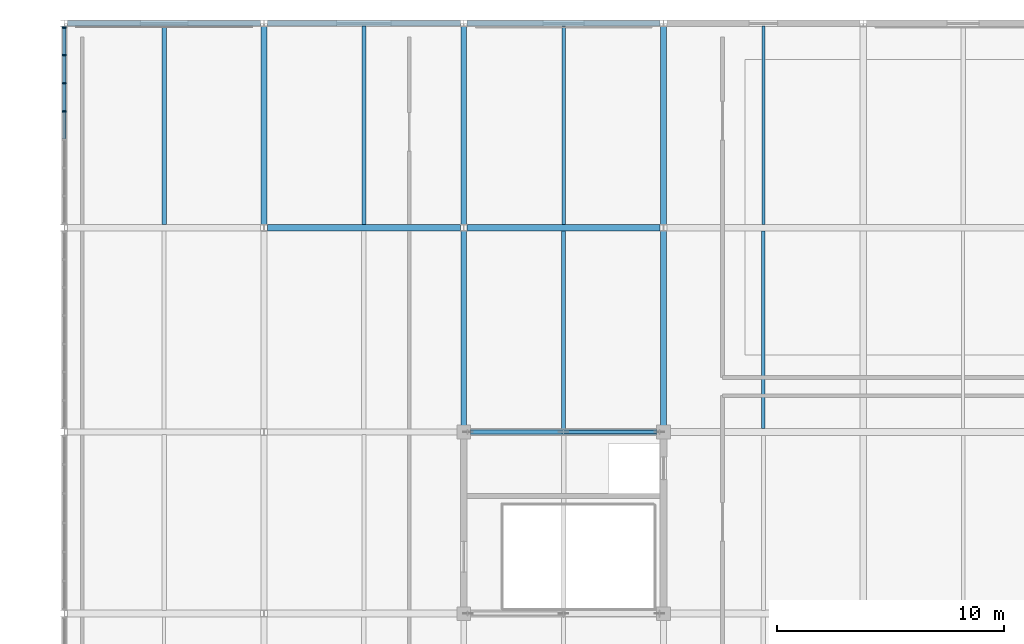
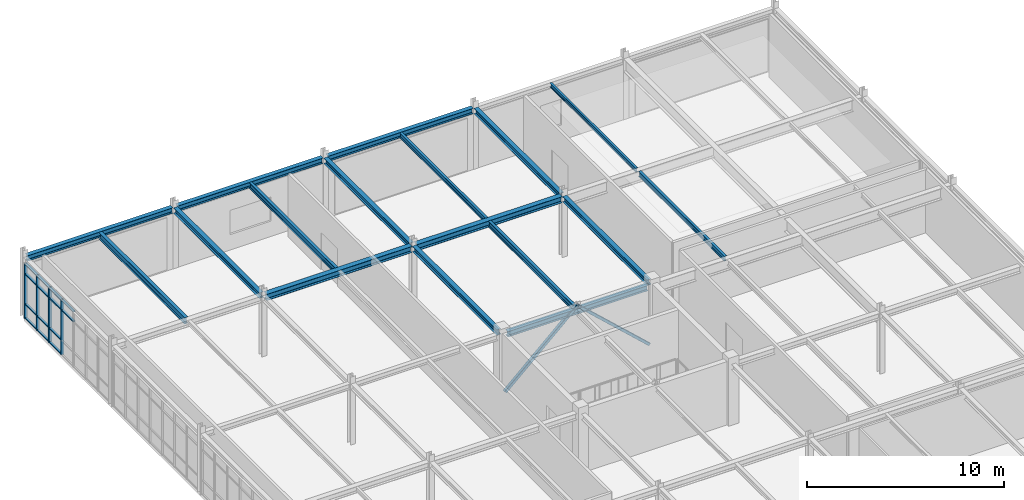
# One storey, part 22 of 64: 20 members, 17 beams, 1 element without a shape of its own.
"""IFC4 building model written with IfcOpenShell, lengths in metres."""

from ifc_helpers import new_model, si_unit, direction, frame, origin, origin_2d, place, context, subcontext, project, spatial, rectangle, hollow_rectangle, i_section, extrude, material, material_profile, profile_set, type_object, element, aggregate, save


model = new_model("IFC4")

# Units and contexts
model_context = context("Model", 3, precision=1e-05, world=origin(), true_north=direction((0.0, 1.0)))
body_context = subcontext(model_context, "Body", "Model", "MODEL_VIEW")
ifc_project = project(units=[si_unit("LENGTHUNIT", "METRE"), si_unit("AREAUNIT", "SQUARE_METRE"), si_unit("VOLUMEUNIT", "CUBIC_METRE"), si_unit("PLANEANGLEUNIT", "RADIAN"), si_unit("MASSUNIT", "GRAM", prefix="KILO")], contexts=[model_context])

# Site, building, storey
site_placement = place(None, origin())
site = spatial("IfcSite", under=ifc_project, at=site_placement, CompositionType="ELEMENT")
building_placement = place(site_placement, origin())
building = spatial("IfcBuilding", under=site, at=building_placement, Name="Zhaolan Boulevard Law Courts", CompositionType="ELEMENT")
storey_placement = place(building_placement, frame((0.0, 0.0, 20.39990234375)))
storey = spatial("IfcBuildingStorey", under=building, at=storey_placement, Name="L04", CompositionType="ELEMENT", Elevation=20.39990234375)

# Members
ifc_material_1 = material(Name="Structural steel Q355B", Category="steel")
ifc_material_profile_1 = material_profile(ifc_material_1, hollow_rectangle(XDim=0.159912109375, YDim=0.159912109375, WallThickness=0.008056640625, InnerFilletRadius=0.008056640625, OuterFilletRadius=0.01611328125, at=origin_2d()), Name="HSS160x160x8")
ifc_profile_set_1 = profile_set([ifc_material_profile_1], Name="Structural steel Q355B")
member_type_1 = type_object("IfcMemberType", Name="BRACE HSS160", PredefinedType="BRACE", material=ifc_profile_set_1)
member_1_placement = place(storey_placement, frame((26.219970703125, 94.0, 0.030029296875), z_axis=(-0.73525664892, 0.0, 0.677788802076), x_axis=(0.0, -1.0, 0.0)))
element("IfcMember", 1, at=member_1_placement, inside=storey, type_object=member_type_1, Name="Core Brace BR-L1-L04-N2", PredefinedType="BRACE", context=body_context, shape_type="SweptSolid", body=[
    extrude(hollow_rectangle(XDim=0.159912109375, YDim=0.159912109375, WallThickness=0.008056640625, InnerFilletRadius=0.008056640625, OuterFilletRadius=0.01611328125, at=origin_2d()), origin(), (0.0, 0.0, 1.0), 5.739501953125),
])
ifc_material_2 = material(Name="Structural steel Q355B", Category="steel")
ifc_material_profile_2 = material_profile(ifc_material_2, hollow_rectangle(XDim=0.179931640625, YDim=0.179931640625, WallThickness=0.008056640625, InnerFilletRadius=0.008056640625, OuterFilletRadius=0.01611328125, at=origin_2d()), Name="HSS180x180x8")
ifc_profile_set_2 = profile_set([ifc_material_profile_2], Name="Structural steel Q355B")
member_type_2 = type_object("IfcMemberType", Name="BRACE HSS180", PredefinedType="BRACE", material=ifc_profile_set_2)
member_2_placement = place(storey_placement, frame((17.780029296875, 94.0, 0.030029296875), z_axis=(0.73525664892, 0.0, 0.677788802076), x_axis=(0.0, 1.0, 0.0)))
element("IfcMember", 2, at=member_2_placement, inside=storey, type_object=member_type_2, Name="Core Brace BR-L1-L04-N1", PredefinedType="BRACE", context=body_context, shape_type="SweptSolid", body=[
    extrude(hollow_rectangle(XDim=0.179931640625, YDim=0.179931640625, WallThickness=0.008056640625, InnerFilletRadius=0.008056640625, OuterFilletRadius=0.01611328125, at=origin_2d()), origin(), (0.0, 0.0, 1.0), 5.739501953125),
])

# Curtain wall, members
ifc_material_3 = material(Name="Thermally broken aluminium and low-E glazing", Category="aluminium")
curtain_wall_type = type_object("IfcCurtainWallType", Name="CURTAIN WALL M14", PredefinedType="USERDEFINED", material=ifc_material_3)
curtain_wall_placement = place(storey_placement, origin())
curtain_wall = element("IfcCurtainWall", 3, at=curtain_wall_placement, inside=storey, type_object=curtain_wall_type, Name="Curtain Wall CW-L04-134", ObjectType="CURTAIN WALL", PredefinedType="USERDEFINED")
ifc_material_4 = material(Name="Fluorocarbon-coated aluminium 6063-T6", Category="aluminium")
ifc_material_profile_3 = material_profile(ifc_material_4, rectangle(XDim=0.179931640625, YDim=0.06494140625, at=origin_2d()), Name="AL65x180")
ifc_profile_set_3 = profile_set([ifc_material_profile_3], Name="Fluorocarbon-coated aluminium 6063-T6")
member_type_3 = type_object("IfcMemberType", Name="CWMULLION 65X180", PredefinedType="MULLION", material=ifc_profile_set_3)
member_3_placement = place(storey_placement, frame((0.0, 111.8154296875, 0.0), z_axis=(0.0, 0.0, 1.0), x_axis=(1.0, 0.0, 0.0)))
member_3 = element("IfcMember", 4, at=member_3_placement, type_object=member_type_3, Name="CW-L04-134 mullion 1", PredefinedType="MULLION", context=body_context, shape_type="SweptSolid", body=[
    extrude(rectangle(XDim=0.179931640625, YDim=0.06494140625, at=origin_2d()), origin(), (0.0, 0.0, 1.0), 3.423095703125),
])
member_4_placement = place(storey_placement, frame((0.0, 110.605712890625, 0.0), z_axis=(0.0, 0.0, 1.0), x_axis=(1.0, 0.0, 0.0)))
member_4 = element("IfcMember", 5, at=member_4_placement, type_object=member_type_3, Name="CW-L04-134 mullion 2", PredefinedType="MULLION", context=body_context, shape_type="SweptSolid", body=[
    extrude(rectangle(XDim=0.179931640625, YDim=0.06494140625, at=origin_2d()), origin(), (0.0, 0.0, 1.0), 3.423095703125),
])
member_5_placement = place(storey_placement, frame((0.0, 109.363525390625, 0.0), z_axis=(0.0, 0.0, 1.0), x_axis=(1.0, 0.0, 0.0)))
member_5 = element("IfcMember", 6, at=member_5_placement, type_object=member_type_3, Name="CW-L04-134 mullion 3", PredefinedType="MULLION", context=body_context, shape_type="SweptSolid", body=[
    extrude(rectangle(XDim=0.179931640625, YDim=0.06494140625, at=origin_2d()), origin(), (0.0, 0.0, 1.0), 3.423095703125),
])
member_6_placement = place(storey_placement, frame((0.0, 108.12109375, 0.0), z_axis=(0.0, 0.0, 1.0), x_axis=(1.0, 0.0, 0.0)))
member_6 = element("IfcMember", 7, at=member_6_placement, type_object=member_type_3, Name="CW-L04-134 mullion 4", PredefinedType="MULLION", context=body_context, shape_type="SweptSolid", body=[
    extrude(rectangle(XDim=0.179931640625, YDim=0.06494140625, at=origin_2d()), origin(), (0.0, 0.0, 1.0), 3.423095703125),
])
ifc_material_5 = material(Name="Fluorocarbon-coated aluminium 6063-T6", Category="aluminium")
ifc_material_profile_4 = material_profile(ifc_material_5, rectangle(XDim=0.139892578125, YDim=0.06494140625, at=origin_2d()), Name="AL65x140")
ifc_profile_set_4 = profile_set([ifc_material_profile_4], Name="Fluorocarbon-coated aluminium 6063-T6")
member_type_4 = type_object("IfcMemberType", Name="CWTRANSOM 65X140", PredefinedType="USERDEFINED", material=ifc_profile_set_4)
member_7_placement = place(storey_placement, frame((0.0, 111.782958984375, 0.03271484375), z_axis=(0.0, -1.0, 0.0), x_axis=(1.0, 0.0, 0.0)))
member_7 = element("IfcMember", 8, at=member_7_placement, type_object=member_type_4, Name="CW-L04-134 transom 1.1", ObjectType="TRANSOM", PredefinedType="USERDEFINED", context=body_context, shape_type="SweptSolid", body=[
    extrude(rectangle(XDim=0.139892578125, YDim=0.06494140625, at=origin_2d()), origin(), (0.0, 0.0, 1.0), 1.144775390625),
])
member_8_placement = place(storey_placement, frame((0.0, 111.782958984375, 0.900146484375), z_axis=(0.0, -1.0, 0.0), x_axis=(1.0, 0.0, 0.0)))
member_8 = element("IfcMember", 9, at=member_8_placement, type_object=member_type_4, Name="CW-L04-134 transom 1.2", ObjectType="TRANSOM", PredefinedType="USERDEFINED", context=body_context, shape_type="SweptSolid", body=[
    extrude(rectangle(XDim=0.139892578125, YDim=0.06494140625, at=origin_2d()), origin(), (0.0, 0.0, 1.0), 1.144775390625),
])
member_9_placement = place(storey_placement, frame((0.0, 111.782958984375, 2.773193359375), z_axis=(0.0, -1.0, 0.0), x_axis=(1.0, 0.0, 0.0)))
member_9 = element("IfcMember", 10, at=member_9_placement, type_object=member_type_4, Name="CW-L04-134 transom 1.3", ObjectType="TRANSOM", PredefinedType="USERDEFINED", context=body_context, shape_type="SweptSolid", body=[
    extrude(rectangle(XDim=0.139892578125, YDim=0.06494140625, at=origin_2d()), origin(), (0.0, 0.0, 1.0), 1.144775390625),
])
member_10_placement = place(storey_placement, frame((0.0, 111.782958984375, 3.390625), z_axis=(0.0, -1.0, 0.0), x_axis=(1.0, 0.0, 0.0)))
member_10 = element("IfcMember", 11, at=member_10_placement, type_object=member_type_4, Name="CW-L04-134 transom 1.4", ObjectType="TRANSOM", PredefinedType="USERDEFINED", context=body_context, shape_type="SweptSolid", body=[
    extrude(rectangle(XDim=0.139892578125, YDim=0.06494140625, at=origin_2d()), origin(), (0.0, 0.0, 1.0), 1.144775390625),
])
member_11_placement = place(storey_placement, frame((0.0, 110.5732421875, 0.03271484375), z_axis=(0.0, -1.0, 0.0), x_axis=(1.0, 0.0, 0.0)))
member_11 = element("IfcMember", 12, at=member_11_placement, type_object=member_type_4, Name="CW-L04-134 transom 2.1", ObjectType="TRANSOM", PredefinedType="USERDEFINED", context=body_context, shape_type="SweptSolid", body=[
    extrude(rectangle(XDim=0.139892578125, YDim=0.06494140625, at=origin_2d()), origin(), (0.0, 0.0, 1.0), 1.17724609375),
])
member_12_placement = place(storey_placement, frame((0.0, 110.5732421875, 0.900146484375), z_axis=(0.0, -1.0, 0.0), x_axis=(1.0, 0.0, 0.0)))
member_12 = element("IfcMember", 13, at=member_12_placement, type_object=member_type_4, Name="CW-L04-134 transom 2.2", ObjectType="TRANSOM", PredefinedType="USERDEFINED", context=body_context, shape_type="SweptSolid", body=[
    extrude(rectangle(XDim=0.139892578125, YDim=0.06494140625, at=origin_2d()), origin(), (0.0, 0.0, 1.0), 1.17724609375),
])
member_13_placement = place(storey_placement, frame((0.0, 110.5732421875, 2.773193359375), z_axis=(0.0, -1.0, 0.0), x_axis=(1.0, 0.0, 0.0)))
member_13 = element("IfcMember", 14, at=member_13_placement, type_object=member_type_4, Name="CW-L04-134 transom 2.3", ObjectType="TRANSOM", PredefinedType="USERDEFINED", context=body_context, shape_type="SweptSolid", body=[
    extrude(rectangle(XDim=0.139892578125, YDim=0.06494140625, at=origin_2d()), origin(), (0.0, 0.0, 1.0), 1.17724609375),
])
member_14_placement = place(storey_placement, frame((0.0, 110.5732421875, 3.390625), z_axis=(0.0, -1.0, 0.0), x_axis=(1.0, 0.0, 0.0)))
member_14 = element("IfcMember", 15, at=member_14_placement, type_object=member_type_4, Name="CW-L04-134 transom 2.4", ObjectType="TRANSOM", PredefinedType="USERDEFINED", context=body_context, shape_type="SweptSolid", body=[
    extrude(rectangle(XDim=0.139892578125, YDim=0.06494140625, at=origin_2d()), origin(), (0.0, 0.0, 1.0), 1.17724609375),
])
member_15_placement = place(storey_placement, frame((0.0, 109.330810546875, 0.03271484375), z_axis=(0.0, -1.0, 0.0), x_axis=(1.0, 0.0, 0.0)))
member_15 = element("IfcMember", 16, at=member_15_placement, type_object=member_type_4, Name="CW-L04-134 transom 3.1", ObjectType="TRANSOM", PredefinedType="USERDEFINED", context=body_context, shape_type="SweptSolid", body=[
    extrude(rectangle(XDim=0.139892578125, YDim=0.06494140625, at=origin_2d()), origin(), (0.0, 0.0, 1.0), 1.17724609375),
])
member_16_placement = place(storey_placement, frame((0.0, 109.330810546875, 0.900146484375), z_axis=(0.0, -1.0, 0.0), x_axis=(1.0, 0.0, 0.0)))
member_16 = element("IfcMember", 17, at=member_16_placement, type_object=member_type_4, Name="CW-L04-134 transom 3.2", ObjectType="TRANSOM", PredefinedType="USERDEFINED", context=body_context, shape_type="SweptSolid", body=[
    extrude(rectangle(XDim=0.139892578125, YDim=0.06494140625, at=origin_2d()), origin(), (0.0, 0.0, 1.0), 1.17724609375),
])
member_17_placement = place(storey_placement, frame((0.0, 109.330810546875, 2.773193359375), z_axis=(0.0, -1.0, 0.0), x_axis=(1.0, 0.0, 0.0)))
member_17 = element("IfcMember", 18, at=member_17_placement, type_object=member_type_4, Name="CW-L04-134 transom 3.3", ObjectType="TRANSOM", PredefinedType="USERDEFINED", context=body_context, shape_type="SweptSolid", body=[
    extrude(rectangle(XDim=0.139892578125, YDim=0.06494140625, at=origin_2d()), origin(), (0.0, 0.0, 1.0), 1.17724609375),
])
member_18_placement = place(storey_placement, frame((0.0, 109.330810546875, 3.390625), z_axis=(0.0, -1.0, 0.0), x_axis=(1.0, 0.0, 0.0)))
member_18 = element("IfcMember", 19, at=member_18_placement, type_object=member_type_4, Name="CW-L04-134 transom 3.4", ObjectType="TRANSOM", PredefinedType="USERDEFINED", context=body_context, shape_type="SweptSolid", body=[
    extrude(rectangle(XDim=0.139892578125, YDim=0.06494140625, at=origin_2d()), origin(), (0.0, 0.0, 1.0), 1.17724609375),
])
member_19_placement = place(storey_placement, frame((0.0, 108.088623046875, 2.773193359375), z_axis=(0.0, -1.0, 0.0), x_axis=(1.0, 0.0, 0.0)))
member_19 = element("IfcMember", 20, at=member_19_placement, type_object=member_type_4, Name="CW-L04-134 transom 4.3", ObjectType="TRANSOM", PredefinedType="USERDEFINED", context=body_context, shape_type="SweptSolid", body=[
    extrude(rectangle(XDim=0.139892578125, YDim=0.06494140625, at=origin_2d()), origin(), (0.0, 0.0, 1.0), 1.17724609375),
])
member_20_placement = place(storey_placement, frame((0.0, 108.088623046875, 3.390625), z_axis=(0.0, -1.0, 0.0), x_axis=(1.0, 0.0, 0.0)))
member_20 = element("IfcMember", 21, at=member_20_placement, type_object=member_type_4, Name="CW-L04-134 transom 4.4", ObjectType="TRANSOM", PredefinedType="USERDEFINED", context=body_context, shape_type="SweptSolid", body=[
    extrude(rectangle(XDim=0.139892578125, YDim=0.06494140625, at=origin_2d()), origin(), (0.0, 0.0, 1.0), 1.17724609375),
])
aggregate(curtain_wall, [member_3, member_4, member_5, member_6, member_7, member_8, member_9, member_10, member_11, member_12, member_13, member_14, member_15, member_16, member_17, member_18, member_19, member_20])

# Beams
ifc_material_6 = material(Name="Structural steel Q355B", Category="steel")
ifc_material_profile_5 = material_profile(ifc_material_6, i_section(OverallWidth=0.25, OverallDepth=0.340087890625, WebThickness=0.009033203125, FlangeThickness=0.013916015625, FilletRadius=0.01611328125, at=origin_2d()), Name="HM340x250")
ifc_profile_set_5 = profile_set([ifc_material_profile_5], Name="Structural steel Q355B")
beam_type_1 = type_object("IfcBeamType", Name="GIRDER HM340", PredefinedType="BEAM", material=ifc_profile_set_5)
beam_1_placement = place(storey_placement, frame((8.800048828125, 103.14599609375, 3.608154296875), z_axis=(0.0, 1.0, 0.0), x_axis=(-1.0, 0.0, 0.0)))
element("IfcBeam", 22, at=beam_1_placement, inside=storey, type_object=beam_type_1, Name="Beam BY-L05-2-P-Q", PredefinedType="BEAM", context=body_context, shape_type="SweptSolid", body=[
    extrude(i_section(OverallWidth=0.25, OverallDepth=0.340087890625, WebThickness=0.009033203125, FlangeThickness=0.013916015625, FilletRadius=0.01611328125, at=origin_2d()), origin(), (0.0, 0.0, 1.0), 8.7080078125),
])
beam_2_placement = place(storey_placement, frame((17.60009765625, 94.2958984375, 3.608154296875), z_axis=(0.0, 1.0, 0.0), x_axis=(-1.0, 0.0, 0.0)))
element("IfcBeam", 23, at=beam_2_placement, inside=storey, type_object=beam_type_1, Name="Beam BY-L05-3-N-P", PredefinedType="BEAM", context=body_context, shape_type="SweptSolid", body=[
    extrude(i_section(OverallWidth=0.25, OverallDepth=0.340087890625, WebThickness=0.009033203125, FlangeThickness=0.013916015625, FilletRadius=0.01611328125, at=origin_2d()), origin(), (0.0, 0.0, 1.0), 8.55810546875),
])
beam_3_placement = place(storey_placement, frame((17.60009765625, 103.14599609375, 3.608154296875), z_axis=(0.0, 1.0, 0.0), x_axis=(-1.0, 0.0, 0.0)))
element("IfcBeam", 24, at=beam_3_placement, inside=storey, type_object=beam_type_1, Name="Beam BY-L05-3-P-Q", PredefinedType="BEAM", context=body_context, shape_type="SweptSolid", body=[
    extrude(i_section(OverallWidth=0.25, OverallDepth=0.340087890625, WebThickness=0.009033203125, FlangeThickness=0.013916015625, FilletRadius=0.01611328125, at=origin_2d()), origin(), (0.0, 0.0, 1.0), 8.7080078125),
])
beam_4_placement = place(storey_placement, frame((26.39990234375, 94.2958984375, 3.608154296875), z_axis=(0.0, 1.0, 0.0), x_axis=(-1.0, 0.0, 0.0)))
element("IfcBeam", 25, at=beam_4_placement, inside=storey, type_object=beam_type_1, Name="Beam BY-L05-4-N-P", PredefinedType="BEAM", context=body_context, shape_type="SweptSolid", body=[
    extrude(i_section(OverallWidth=0.25, OverallDepth=0.340087890625, WebThickness=0.009033203125, FlangeThickness=0.013916015625, FilletRadius=0.01611328125, at=origin_2d()), origin(), (0.0, 0.0, 1.0), 8.55810546875),
])
beam_5_placement = place(storey_placement, frame((26.39990234375, 103.14599609375, 3.608154296875), z_axis=(0.0, 1.0, 0.0), x_axis=(-1.0, 0.0, 0.0)))
element("IfcBeam", 26, at=beam_5_placement, inside=storey, type_object=beam_type_1, Name="Beam BY-L05-4-P-Q", PredefinedType="BEAM", context=body_context, shape_type="SweptSolid", body=[
    extrude(i_section(OverallWidth=0.25, OverallDepth=0.340087890625, WebThickness=0.009033203125, FlangeThickness=0.013916015625, FilletRadius=0.01611328125, at=origin_2d()), origin(), (0.0, 0.0, 1.0), 8.7080078125),
])
ifc_material_7 = material(Name="Structural steel Q355B", Category="steel")
ifc_material_profile_6 = material_profile(ifc_material_7, i_section(OverallWidth=0.300048828125, OverallDepth=0.389892578125, WebThickness=0.010009765625, FlangeThickness=0.01611328125, FilletRadius=0.01806640625, at=origin_2d()), Name="HM390x300")
ifc_profile_set_6 = profile_set([ifc_material_profile_6], Name="Structural steel Q355B")
beam_type_2 = type_object("IfcBeamType", Name="GIRDER HM390", PredefinedType="BEAM", material=ifc_profile_set_6)
beam_6_placement = place(storey_placement, frame((8.946044921875, 103.0, 3.5830078125), z_axis=(1.0, 0.0, 0.0), x_axis=(0.0, 1.0, 0.0)))
element("IfcBeam", 27, at=beam_6_placement, inside=storey, type_object=beam_type_2, Name="Beam BX-L05-2-3-P", PredefinedType="BEAM", context=body_context, shape_type="SweptSolid", body=[
    extrude(i_section(OverallWidth=0.300048828125, OverallDepth=0.389892578125, WebThickness=0.010009765625, FlangeThickness=0.01611328125, FilletRadius=0.01806640625, at=origin_2d()), origin(), (0.0, 0.0, 1.0), 8.508056640625),
])
beam_7_placement = place(storey_placement, frame((17.74609375, 103.0, 3.5830078125), z_axis=(1.0, 0.0, 0.0), x_axis=(0.0, 1.0, 0.0)))
element("IfcBeam", 28, at=beam_7_placement, inside=storey, type_object=beam_type_2, Name="Beam BX-L05-3-4-P", PredefinedType="BEAM", context=body_context, shape_type="SweptSolid", body=[
    extrude(i_section(OverallWidth=0.300048828125, OverallDepth=0.389892578125, WebThickness=0.010009765625, FlangeThickness=0.01611328125, FilletRadius=0.01806640625, at=origin_2d()), origin(), (0.0, 0.0, 1.0), 8.5078125),
])
ifc_material_8 = material(Name="Structural steel Q355B", Category="steel")
ifc_material_profile_7 = material_profile(ifc_material_8, i_section(OverallWidth=0.125, OverallDepth=0.25, WebThickness=0.006103515625, FlangeThickness=0.009033203125, FilletRadius=0.010009765625, at=origin_2d()), Name="HN250x125")
ifc_profile_set_7 = profile_set([ifc_material_profile_7], Name="Structural steel Q355B")
beam_type_3 = type_object("IfcBeamType", Name="JOIST HN250", PredefinedType="JOIST", material=ifc_profile_set_7)
beam_8_placement = place(storey_placement, frame((30.800048828125, 103.14599609375, 3.653076171875), z_axis=(0.0, 1.0, 0.0), x_axis=(-1.0, 0.0, 0.0)))
element("IfcBeam", 29, at=beam_8_placement, inside=storey, type_object=beam_type_3, Name="Composite Joist J-L05-4P", PredefinedType="JOIST", context=body_context, shape_type="SweptSolid", body=[
    extrude(i_section(OverallWidth=0.125, OverallDepth=0.25, WebThickness=0.006103515625, FlangeThickness=0.009033203125, FilletRadius=0.010009765625, at=origin_2d()), origin(), (0.0, 0.0, 1.0), 8.73291015625),
])
ifc_material_9 = material(Name="Structural steel Q355B", Category="steel")
ifc_material_profile_8 = material_profile(ifc_material_9, i_section(OverallWidth=0.14990234375, OverallDepth=0.300048828125, WebThickness=0.006591796875, FlangeThickness=0.009033203125, FilletRadius=0.010986328125, at=origin_2d()), Name="HN300x150")
ifc_profile_set_8 = profile_set([ifc_material_profile_8], Name="Structural steel Q355B")
beam_type_4 = type_object("IfcBeamType", Name="JOIST HN300", PredefinedType="JOIST", material=ifc_profile_set_8)
beam_9_placement = place(storey_placement, frame((22.0, 103.14599609375, 3.628173828125), z_axis=(0.0, 1.0, 0.0), x_axis=(-1.0, 0.0, 0.0)))
element("IfcBeam", 30, at=beam_9_placement, inside=storey, type_object=beam_type_4, Name="Composite Joist J-L05-3P", PredefinedType="JOIST", context=body_context, shape_type="SweptSolid", body=[
    extrude(i_section(OverallWidth=0.14990234375, OverallDepth=0.300048828125, WebThickness=0.006591796875, FlangeThickness=0.009033203125, FilletRadius=0.010986328125, at=origin_2d()), origin(), (0.0, 0.0, 1.0), 8.73291015625),
])
beam_10_placement = place(storey_placement, frame((30.800048828125, 94.14599609375, 3.628173828125), z_axis=(0.0, 1.0, 0.0), x_axis=(-1.0, 0.0, 0.0)))
element("IfcBeam", 31, at=beam_10_placement, inside=storey, type_object=beam_type_4, Name="Composite Joist J-L05-4N", PredefinedType="JOIST", context=body_context, shape_type="SweptSolid", body=[
    extrude(i_section(OverallWidth=0.14990234375, OverallDepth=0.300048828125, WebThickness=0.006591796875, FlangeThickness=0.009033203125, FilletRadius=0.010986328125, at=origin_2d()), origin(), (0.0, 0.0, 1.0), 8.7080078125),
])
ifc_material_10 = material(Name="Structural steel Q355B", Category="steel")
ifc_material_profile_9 = material_profile(ifc_material_10, i_section(OverallWidth=0.175048828125, OverallDepth=0.35009765625, WebThickness=0.007080078125, FlangeThickness=0.010986328125, FilletRadius=0.012939453125, at=origin_2d()), Name="HN350x175")
ifc_profile_set_9 = profile_set([ifc_material_profile_9], Name="Structural steel Q355B")
beam_type_5 = type_object("IfcBeamType", Name="JOIST HN350", PredefinedType="JOIST", material=ifc_profile_set_9)
for number, where, z_axis, x_axis, name in (
    (32, (13.199951171875, 103.14599609375, 3.60302734375), (0.0, 1.0, 0.0), (-1.0, 0.0, 0.0), "Composite Joist J-L05-2P"),
    (33, (22.0, 94.12109375, 3.60302734375), (0.0, 1.0, 0.0), (-1.0, 0.0, 0.0), "Composite Joist J-L05-3N"),
):
    element("IfcBeam", number, at=place(storey_placement, frame(where, z_axis=z_axis, x_axis=x_axis)), inside=storey, type_object=beam_type_5, Name=name, PredefinedType="JOIST", context=body_context, shape_type="SweptSolid", body=[
        extrude(i_section(OverallWidth=0.175048828125, OverallDepth=0.35009765625, WebThickness=0.007080078125, FlangeThickness=0.010986328125, FilletRadius=0.012939453125, at=origin_2d()), origin(), (0.0, 0.0, 1.0), 8.73291015625),
    ])
ifc_material_11 = material(Name="Structural steel Q355B", Category="steel")
ifc_material_profile_10 = material_profile(ifc_material_11, i_section(OverallWidth=0.199951171875, OverallDepth=0.39990234375, WebThickness=0.008056640625, FlangeThickness=0.012939453125, FilletRadius=0.013916015625, at=origin_2d()), Name="HN400x200")
ifc_profile_set_10 = profile_set([ifc_material_profile_10], Name="Structural steel Q355B")
beam_type_6 = type_object("IfcBeamType", Name="JOIST HN400", PredefinedType="JOIST", material=ifc_profile_set_10)
beam_11_placement = place(storey_placement, frame((4.39990234375, 103.14599609375, 3.578125), z_axis=(0.0, 1.0, 0.0), x_axis=(-1.0, 0.0, 0.0)))
element("IfcBeam", 34, at=beam_11_placement, inside=storey, type_object=beam_type_6, Name="Composite Joist J-L05-1P", PredefinedType="JOIST", context=body_context, shape_type="SweptSolid", body=[
    extrude(i_section(OverallWidth=0.199951171875, OverallDepth=0.39990234375, WebThickness=0.008056640625, FlangeThickness=0.012939453125, FilletRadius=0.013916015625, at=origin_2d()), origin(), (0.0, 0.0, 1.0), 8.73291015625),
])
ifc_material_12 = material(Name="Structural steel Q355B", Category="steel")
ifc_material_profile_11 = material_profile(ifc_material_12, i_section(OverallWidth=0.25, OverallDepth=0.340087890625, WebThickness=0.009033203125, FlangeThickness=0.013916015625, FilletRadius=0.01611328125, at=origin_2d()), Name="HM340x250")
ifc_profile_set_11 = profile_set([ifc_material_profile_11], Name="Structural steel Q355B")
beam_type_7 = type_object("IfcBeamType", Name="SPANDREL HM340", PredefinedType="SPANDREL", material=ifc_profile_set_11)
beam_12_placement = place(storey_placement, frame((17.89599609375, 94.0, 3.608154296875), z_axis=(1.0, 0.0, 0.0), x_axis=(0.0, 1.0, 0.0)))
element("IfcBeam", 35, at=beam_12_placement, inside=storey, type_object=beam_type_7, Name="Beam BX-L05-3-4-N", PredefinedType="SPANDREL", context=body_context, shape_type="SweptSolid", body=[
    extrude(i_section(OverallWidth=0.25, OverallDepth=0.340087890625, WebThickness=0.009033203125, FlangeThickness=0.013916015625, FilletRadius=0.01611328125, at=origin_2d()), origin(), (0.0, 0.0, 1.0), 8.2080078125),
])
for number, where, z_axis, x_axis, name in (
    (36, (0.14599609375, 112.0, 3.608154296875), (1.0, 0.0, 0.0), (0.0, 1.0, 0.0), "Beam BX-L05-1-2-Q"),
    (37, (8.946044921875, 112.0, 3.608154296875), (1.0, 0.0, 0.0), (0.0, 1.0, 0.0), "Beam BX-L05-2-3-Q"),
):
    element("IfcBeam", number, at=place(storey_placement, frame(where, z_axis=z_axis, x_axis=x_axis)), inside=storey, type_object=beam_type_7, Name=name, PredefinedType="SPANDREL", context=body_context, shape_type="SweptSolid", body=[
        extrude(i_section(OverallWidth=0.25, OverallDepth=0.340087890625, WebThickness=0.009033203125, FlangeThickness=0.013916015625, FilletRadius=0.01611328125, at=origin_2d()), origin(), (0.0, 0.0, 1.0), 8.508056640625),
    ])
beam_13_placement = place(storey_placement, frame((17.74609375, 112.0, 3.608154296875), z_axis=(1.0, 0.0, 0.0), x_axis=(0.0, 1.0, 0.0)))
element("IfcBeam", 38, at=beam_13_placement, inside=storey, type_object=beam_type_7, Name="Beam BX-L05-3-4-Q", PredefinedType="SPANDREL", context=body_context, shape_type="SweptSolid", body=[
    extrude(i_section(OverallWidth=0.25, OverallDepth=0.340087890625, WebThickness=0.009033203125, FlangeThickness=0.013916015625, FilletRadius=0.01611328125, at=origin_2d()), origin(), (0.0, 0.0, 1.0), 8.5078125),
])

save(model, "model.ifc")
